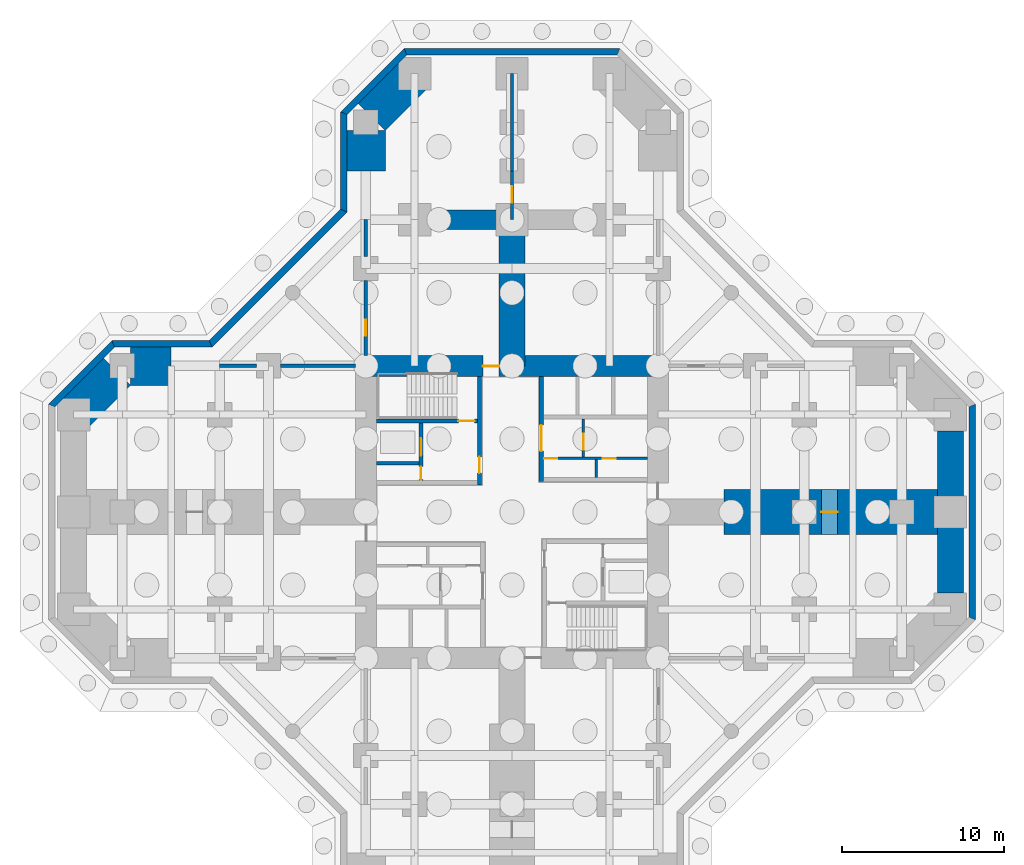
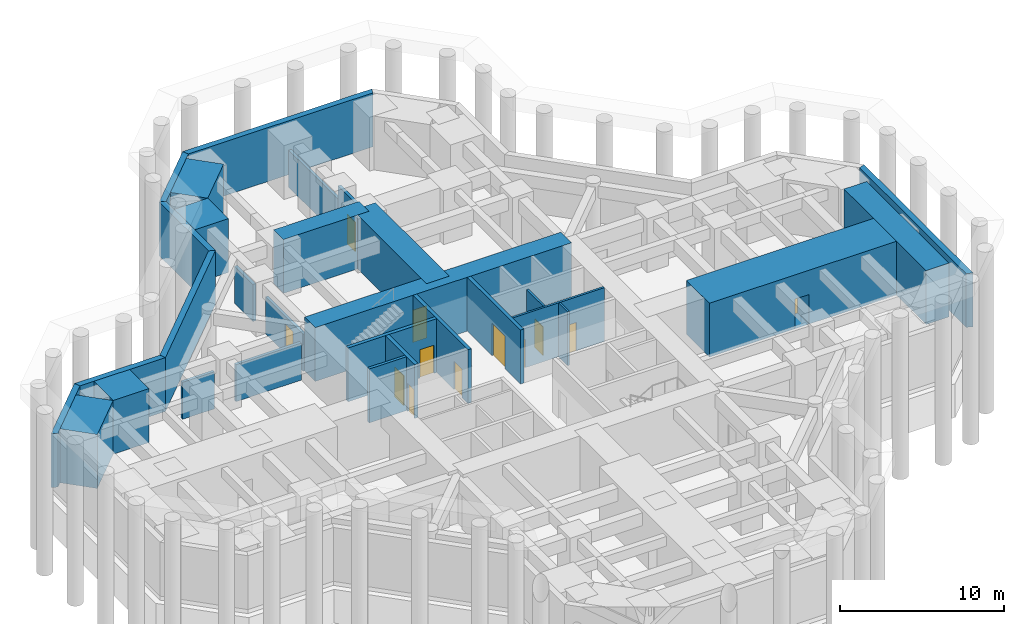
# One storey, part 5 of 8: 30 walls, 12 doors, 12 openings.
"""IFC4 building model written with IfcOpenShell, lengths in metres."""

from ifc_helpers import new_model, si_unit, direction, frame, frame_2d, origin, place, context, subcontext, project, spatial, polyline, rectangle, outline, extrude, material, layer, layer_set, constituent, constituent_set, type_object, element, fill, save


model = new_model("IFC4")

# Units and contexts
model_context = context("Model", 3, precision=1e-05, world=origin(), true_north=direction((0.0, 1.0)))
body_context = subcontext(model_context, "Body", "Model", "MODEL_VIEW")
ifc_project = project(units=[si_unit("LENGTHUNIT", "METRE"), si_unit("AREAUNIT", "SQUARE_METRE"), si_unit("VOLUMEUNIT", "CUBIC_METRE"), si_unit("PLANEANGLEUNIT", "RADIAN"), si_unit("MASSUNIT", "GRAM", prefix="KILO")], contexts=[model_context])

# Site, building, storey
site_placement = place(None, origin())
site = spatial("IfcSite", under=ifc_project, at=site_placement, CompositionType="ELEMENT")
building_placement = place(site_placement, origin())
building = spatial("IfcBuilding", under=site, at=building_placement, Name="Torre Cruceta", CompositionType="ELEMENT")
storey_placement = place(building_placement, frame((0.0, 0.0, -8.0)))
storey = spatial("IfcBuildingStorey", under=building, at=storey_placement, Name="B02", CompositionType="ELEMENT", Elevation=-8.0)

# Walls
ifc_material_1 = material(Name="Concrete G60 (fck 60 MPa)", Category="concrete")
ifc_layer_1 = layer(ifc_material_1, 2.39990234375)
ifc_layer_set_1 = layer_set([ifc_layer_1], Name="Concrete G60 (fck 60 MPa)")
wall_type_1 = type_object("IfcWallType", Name="BASEMENT ARM WALL 2400 G60", PredefinedType="SHEAR", material=ifc_layer_set_1)
wall_1_placement = place(storey_placement, frame((-9.0, 21.0, 0.0), z_axis=(0.0, 0.0, 1.0), x_axis=(0.0, 1.0, 0.0)))
element("IfcWall", 1, at=wall_1_placement, inside=storey, type_object=wall_type_1, Name="BW1 basement arm wall B02 N L1", PredefinedType="SHEAR", context=body_context, shape_type="SweptSolid", body=[
    extrude(rectangle(XDim=2.5029296875, YDim=2.39990234375, at=frame_2d((1.25146484375, 0.0))), origin(), (0.0, 0.0, 1.0), 4.0),
])
wall_2_placement = place(storey_placement, frame((-8.6484375, 24.3515625, 0.0), z_axis=(0.0, 0.0, 1.0), x_axis=(0.707106781187, 0.707106781187, 0.0)))
element("IfcWall", 2, at=wall_2_placement, inside=storey, type_object=wall_type_1, Name="BW1 basement arm wall B02 N L2", PredefinedType="SHEAR", context=body_context, shape_type="SweptSolid", body=[
    extrude(rectangle(XDim=3.745361328125, YDim=2.39990234375, at=frame_2d((1.87255859375, 0.0))), origin(), (0.0, 0.0, 1.0), 4.0),
])
wall_3_placement = place(storey_placement, frame((-21.0, 9.0, 0.0), z_axis=(0.0, 0.0, 1.0), x_axis=(-1.0, 0.0, 0.0)))
element("IfcWall", 3, at=wall_3_placement, inside=storey, type_object=wall_type_1, Name="BW1 basement arm wall B02 W R1", PredefinedType="SHEAR", context=body_context, shape_type="SweptSolid", body=[
    extrude(rectangle(XDim=2.5029296875, YDim=2.39990234375, at=frame_2d((1.25146484375, 0.0))), origin(), (0.0, 0.0, 1.0), 4.0),
])
wall_4_placement = place(storey_placement, frame((-24.3515625, 8.6484375, 0.0), z_axis=(0.0, 0.0, 1.0), x_axis=(-0.707106781187, -0.707106781187, 0.0)))
element("IfcWall", 4, at=wall_4_placement, inside=storey, type_object=wall_type_1, Name="BW1 basement arm wall B02 W R2", PredefinedType="SHEAR", context=body_context, shape_type="SweptSolid", body=[
    extrude(rectangle(XDim=3.745361328125, YDim=2.39990234375, at=frame_2d((1.87255859375, 0.0))), origin(), (0.0, 0.0, 1.0), 4.0),
])
ifc_material_2 = material(Name="Concrete G45 (fck 45 MPa)", Category="concrete")
ifc_layer_2 = layer(ifc_material_2, 0.39990234375)
ifc_layer_set_2 = layer_set([ifc_layer_2], Name="Concrete G45 (fck 45 MPa)")
wall_type_2 = type_object("IfcWallType", Name="BASEMENT RETAINING WALL 400", PredefinedType="SOLIDWALL", material=ifc_layer_set_2)
wall_5_placement = place(storey_placement, origin())
element("IfcWall", 5, at=wall_5_placement, inside=storey, type_object=wall_type_2, Name="Retaining wall RW1 B02-11", PredefinedType="SOLIDWALL", context=body_context, shape_type="SweptSolid", body=[
    extrude(outline(polyline([(-28.14990234375, 6.476318359375), (-28.550048828125, 6.64208984375), (-24.64208984375, 10.550048828125), (-24.476318359375, 10.14990234375), (-28.14990234375, 6.476318359375)])), origin(), (0.0, 0.0, 1.0), 4.0),
])
wall_6_placement = place(storey_placement, origin())
element("IfcWall", 6, at=wall_6_placement, inside=storey, type_object=wall_type_2, Name="Retaining wall RW1 B02-12", PredefinedType="SOLIDWALL", context=body_context, shape_type="SweptSolid", body=[
    extrude(outline(polyline([(-24.476318359375, 10.14990234375), (-24.64208984375, 10.550048828125), (-18.64208984375, 10.550048828125), (-18.476318359375, 10.14990234375), (-24.476318359375, 10.14990234375)])), origin(), (0.0, 0.0, 1.0), 4.0),
])
wall_7_placement = place(storey_placement, origin())
element("IfcWall", 7, at=wall_7_placement, inside=storey, type_object=wall_type_2, Name="Retaining wall RW1 B02-13", PredefinedType="SOLIDWALL", context=body_context, shape_type="SweptSolid", body=[
    extrude(outline(polyline([(-18.476318359375, 10.14990234375), (-18.64208984375, 10.550048828125), (-10.550048828125, 18.64208984375), (-10.14990234375, 18.476318359375), (-18.476318359375, 10.14990234375)])), origin(), (0.0, 0.0, 1.0), 4.0),
])
wall_8_placement = place(storey_placement, origin())
element("IfcWall", 8, at=wall_8_placement, inside=storey, type_object=wall_type_2, Name="Retaining wall RW1 B02-14", PredefinedType="SOLIDWALL", context=body_context, shape_type="SweptSolid", body=[
    extrude(outline(polyline([(-10.14990234375, 18.476318359375), (-10.550048828125, 18.64208984375), (-10.550048828125, 24.64208984375), (-10.14990234375, 24.476318359375), (-10.14990234375, 18.476318359375)])), origin(), (0.0, 0.0, 1.0), 4.0),
])
wall_9_placement = place(storey_placement, origin())
element("IfcWall", 9, at=wall_9_placement, inside=storey, type_object=wall_type_2, Name="Retaining wall RW1 B02-15", PredefinedType="SOLIDWALL", context=body_context, shape_type="SweptSolid", body=[
    extrude(outline(polyline([(-10.14990234375, 24.476318359375), (-10.550048828125, 24.64208984375), (-6.64208984375, 28.550048828125), (-6.476318359375, 28.14990234375), (-10.14990234375, 24.476318359375)])), origin(), (0.0, 0.0, 1.0), 4.0),
])
wall_10_placement = place(storey_placement, origin())
element("IfcWall", 10, at=wall_10_placement, inside=storey, type_object=wall_type_2, Name="Retaining wall RW1 B02-16", PredefinedType="SOLIDWALL", context=body_context, shape_type="SweptSolid", body=[
    extrude(outline(polyline([(-6.476318359375, 28.14990234375), (-6.64208984375, 28.550048828125), (6.64208984375, 28.550048828125), (6.476318359375, 28.14990234375), (-6.476318359375, 28.14990234375)])), origin(), (0.0, 0.0, 1.0), 4.0),
])
wall_11_placement = place(storey_placement, origin())
element("IfcWall", 11, at=wall_11_placement, inside=storey, type_object=wall_type_2, Name="Retaining wall RW1 B02-22", PredefinedType="SOLIDWALL", context=body_context, shape_type="SweptSolid", body=[
    extrude(outline(polyline([(28.14990234375, 6.476318359375), (28.550048828125, 6.64208984375), (28.550048828125, -6.64208984375), (28.14990234375, -6.476318359375), (28.14990234375, 6.476318359375)])), origin(), (0.0, 0.0, 1.0), 4.0),
])

# Wall, opening, door
ifc_material_3 = material(Name="Concrete G60 (fck 60 MPa)", Category="concrete")
ifc_layer_3 = layer(ifc_material_3, 0.25)
ifc_layer_set_3 = layer_set([ifc_layer_3], Name="Concrete G60 (fck 60 MPa)")
wall_type_3 = type_object("IfcWallType", Name="CORE INNER WALL 250 G60", PredefinedType="SHEAR", material=ifc_layer_set_3)
wall_12_placement = place(storey_placement, frame((1.800048828125, 1.875, 0.0), z_axis=(0.0, 0.0, 1.0), x_axis=(0.0, 1.0, 0.0)))
wall_12 = element("IfcWall", 12, at=wall_12_placement, inside=storey, type_object=wall_type_3, Name="CW4 B02 NE-CU", PredefinedType="SHEAR", context=body_context, shape_type="SweptSolid", body=[
    extrude(rectangle(XDim=6.47509765625, YDim=0.25, at=frame_2d((3.237548828125, 0.0))), origin(), (0.0, 0.0, 1.0), 4.0),
])
opening_1_placement = place(wall_12_placement, frame((1.875, 0.0, 0.0)))
opening_1 = element("IfcOpeningElement", 13, at=opening_1_placement, cuts=wall_12, Name="Opening D15", PredefinedType="OPENING", context=body_context, shape_type="SweptSolid", body=[
    extrude(rectangle(XDim=1.60009765625, YDim=2.39990234375, at=frame_2d((0.800048828125, 1.199951171875))), frame((0.0, 0.135009765625, 0.0), z_axis=(0.0, -1.0, 0.0), x_axis=(1.0, 0.0, 0.0)), (0.0, 0.0, 1.0), 0.27001953125),
])
ifc_material_4 = material(Name="Steel DX51D", Category="steel")
ifc_constituent_1 = constituent(ifc_material_4, Name="Leaf and frame")
ifc_material_5 = material(Name="Polyester powder coating", Category="paint")
ifc_constituent_2 = constituent(ifc_material_5, Name="Finish")
ifc_constituent_set_1 = constituent_set(constituents=[ifc_constituent_1, ifc_constituent_2], Name="Steel fire door")
door_type_1 = type_object("IfcDoorType", Name="CORE ROOM DOUBLE DOOR 1600X2400", OperationType="DOUBLE_DOOR_SINGLE_SWING", PredefinedType="DOOR", material=ifc_constituent_set_1)
door_1_placement = place(opening_1_placement, frame((1.60009765625, 0.0, 0.0), z_axis=(0.0, 0.0, 1.0), x_axis=(-1.0, 0.0, 0.0)))
door_1 = element("IfcDoor", 14, at=door_1_placement, inside=storey, type_object=door_type_1, Name="D15 B02 NE-LOBBY", OperationType="DOUBLE_DOOR_SINGLE_SWING", OverallHeight=2.39990234375, OverallWidth=1.60009765625, PredefinedType="DOOR", context=body_context, shape_type="SweptSolid", body=[
    extrude(rectangle(XDim=1.60009765625, YDim=2.39990234375, at=frame_2d((0.800048828125, 1.199951171875))), frame((0.0, 0.025146484375, 0.0), z_axis=(0.0, -1.0, 0.0), x_axis=(1.0, 0.0, 0.0)), (0.0, 0.0, 1.0), 0.050048828125),
])
fill(opening_1, door_1)

wall_13_placement = place(storey_placement, frame((-2.0, 1.675048828125, 0.0), z_axis=(0.0, 0.0, 1.0), x_axis=(0.0, 1.0, 0.0)))
wall_13 = element("IfcWall", 15, at=wall_13_placement, inside=storey, type_object=wall_type_3, Name="CW4 B02 NW-CU", PredefinedType="SHEAR", context=body_context, shape_type="SweptSolid", body=[
    extrude(rectangle(XDim=6.675048828125, YDim=0.25, at=frame_2d((3.33740234375, 0.0))), origin(), (0.0, 0.0, 1.0), 4.0),
])
opening_2_placement = place(wall_13_placement, frame((0.72509765625, 0.0, 0.0)))
opening_2 = element("IfcOpeningElement", 16, at=opening_2_placement, cuts=wall_13, Name="Opening D3", PredefinedType="OPENING", context=body_context, shape_type="SweptSolid", body=[
    extrude(rectangle(XDim=1.0, YDim=2.10009765625, at=frame_2d((0.5, 1.050048828125))), frame((0.0, 0.135009765625, 0.0), z_axis=(0.0, -1.0, 0.0), x_axis=(1.0, 0.0, 0.0)), (0.0, 0.0, 1.0), 0.27001953125),
])
ifc_material_6 = material(Name="Steel DX51D", Category="steel")
ifc_constituent_3 = constituent(ifc_material_6, Name="Leaf and frame")
ifc_material_7 = material(Name="Polyester powder coating", Category="paint")
ifc_constituent_4 = constituent(ifc_material_7, Name="Finish")
ifc_constituent_set_2 = constituent_set(constituents=[ifc_constituent_3, ifc_constituent_4], Name="Steel fire door")
door_type_2 = type_object("IfcDoorType", Name="FIRE DOOR 1000X2100", OperationType="SINGLE_SWING_LEFT", PredefinedType="DOOR", material=ifc_constituent_set_2)
door_2_placement = place(opening_2_placement, origin())
door_2 = element("IfcDoor", 17, at=door_2_placement, inside=storey, type_object=door_type_2, Name="D3 B02 NW-LOBBY", OperationType="SINGLE_SWING_LEFT", OverallHeight=2.10009765625, OverallWidth=1.0, PredefinedType="DOOR", context=body_context, shape_type="SweptSolid", body=[
    extrude(rectangle(XDim=1.0, YDim=2.10009765625, at=frame_2d((0.5, 1.050048828125))), frame((0.0, 0.02490234375, 0.0), z_axis=(0.0, -1.0, 0.0), x_axis=(1.0, 0.0, 0.0)), (0.0, 0.0, 1.0), 0.050048828125),
])
fill(opening_2, door_2)

wall_14_placement = place(storey_placement, frame((-2.125, 5.60009765625, 0.0), z_axis=(0.0, 0.0, 1.0), x_axis=(-1.0, 0.0, 0.0)))
wall_14 = element("IfcWall", 18, at=wall_14_placement, inside=storey, type_object=wall_type_3, Name="CW4 B02 NW-SV", PredefinedType="SHEAR", context=body_context, shape_type="SweptSolid", body=[
    extrude(rectangle(XDim=6.22509765625, YDim=0.25, at=frame_2d((3.112548828125, 0.0))), origin(), (0.0, 0.0, 1.0), 4.0),
])
opening_3_placement = place(wall_14_placement, frame((0.175048828125, 0.0, 0.0)))
opening_3 = element("IfcOpeningElement", 19, at=opening_3_placement, cuts=wall_14, Name="Opening D3", PredefinedType="OPENING", context=body_context, shape_type="SweptSolid", body=[
    extrude(rectangle(XDim=1.0, YDim=2.10009765625, at=frame_2d((0.5, 1.050048828125))), frame((0.0, 0.135009765625, 0.0), z_axis=(0.0, -1.0, 0.0), x_axis=(1.0, 0.0, 0.0)), (0.0, 0.0, 1.0), 0.27001953125),
])
door_3_placement = place(opening_3_placement, frame((1.0, 0.0, 0.0), z_axis=(0.0, 0.0, 1.0), x_axis=(-1.0, 0.0, 0.0)))
door_3 = element("IfcDoor", 20, at=door_3_placement, inside=storey, type_object=door_type_2, Name="D3 B02 NW-STAIR", OperationType="SINGLE_SWING_RIGHT", OverallHeight=2.10009765625, OverallWidth=1.0, PredefinedType="DOOR", context=body_context, shape_type="SweptSolid", body=[
    extrude(rectangle(XDim=1.0, YDim=2.10009765625, at=frame_2d((0.5, 1.050048828125))), frame((0.0, 0.025146484375, 0.0), z_axis=(0.0, -1.0, 0.0), x_axis=(1.0, 0.0, 0.0)), (0.0, 0.0, 1.0), 0.050048828125),
])
fill(opening_3, door_3)

# Wall, openings, doors
wall_15_placement = place(storey_placement, frame((-5.60009765625, 1.925048828125, 0.0), z_axis=(0.0, 0.0, 1.0), x_axis=(0.0, 1.0, 0.0)))
wall_15 = element("IfcWall", 21, at=wall_15_placement, inside=storey, type_object=wall_type_3, Name="CW4 B02 NW-FU", PredefinedType="SHEAR", context=body_context, shape_type="SweptSolid", body=[
    extrude(rectangle(XDim=3.550048828125, YDim=0.25, at=frame_2d((1.77490234375, 0.0))), origin(), (0.0, 0.0, 1.0), 4.0),
])
opening_4_placement = place(wall_15_placement, frame((1.52490234375, 0.0, 0.0)))
opening_4 = element("IfcOpeningElement", 22, at=opening_4_placement, cuts=wall_15, Name="Opening LD1", PredefinedType="OPENING", context=body_context, shape_type="SweptSolid", body=[
    extrude(rectangle(XDim=1.10009765625, YDim=2.199951171875, at=frame_2d((0.550048828125, 1.10009765625))), frame((0.0, 0.135009765625, 0.0), z_axis=(0.0, -1.0, 0.0), x_axis=(1.0, 0.0, 0.0)), (0.0, 0.0, 1.0), 0.27001953125),
])
opening_5_placement = place(wall_15_placement, frame((0.074951171875, 0.0, 0.0)))
opening_5 = element("IfcOpeningElement", 23, at=opening_5_placement, cuts=wall_15, Name="Opening D5", PredefinedType="OPENING", context=body_context, shape_type="SweptSolid", body=[
    extrude(rectangle(XDim=0.800048828125, YDim=2.10009765625, at=frame_2d((0.39990234375, 1.050048828125))), frame((0.0, 0.135009765625, 0.0), z_axis=(0.0, -1.0, 0.0), x_axis=(1.0, 0.0, 0.0)), (0.0, 0.0, 1.0), 0.27001953125),
])
ifc_material_8 = material(Name="Stainless steel 1.4401", Category="steel")
door_type_3 = type_object("IfcDoorType", Name="LIFT LANDING DOOR 1100X2200", OperationType="DOUBLE_DOOR_SLIDING", PredefinedType="DOOR", material=ifc_material_8)
door_4_placement = place(opening_4_placement, origin())
door_4 = element("IfcDoor", 24, at=door_4_placement, inside=storey, type_object=door_type_3, Name="Lift landing door FL1", OperationType="DOUBLE_DOOR_SLIDING", OverallHeight=2.199951171875, OverallWidth=1.10009765625, PredefinedType="DOOR", context=body_context, shape_type="SweptSolid", body=[
    extrude(rectangle(XDim=1.10009765625, YDim=2.199951171875, at=frame_2d((0.550048828125, 1.10009765625))), frame((0.0, 0.02490234375, 0.0), z_axis=(0.0, -1.0, 0.0), x_axis=(1.0, 0.0, 0.0)), (0.0, 0.0, 1.0), 0.050048828125),
])
fill(opening_4, door_4)
ifc_material_9 = material(Name="Steel DX51D", Category="steel")
ifc_constituent_5 = constituent(ifc_material_9, Name="Leaf and frame")
ifc_material_10 = material(Name="Polyester powder coating", Category="paint")
ifc_constituent_6 = constituent(ifc_material_10, Name="Finish")
ifc_constituent_set_3 = constituent_set(constituents=[ifc_constituent_5, ifc_constituent_6], Name="Steel fire door")
door_type_4 = type_object("IfcDoorType", Name="RISER ACCESS DOOR 800X2100", OperationType="SINGLE_SWING_LEFT", PredefinedType="DOOR", material=ifc_constituent_set_3)
door_5_placement = place(opening_5_placement, origin())
door_5 = element("IfcDoor", 25, at=door_5_placement, inside=storey, type_object=door_type_4, Name="D5 B02 NW-RISER", OperationType="SINGLE_SWING_LEFT", OverallHeight=2.10009765625, OverallWidth=0.800048828125, PredefinedType="DOOR", context=body_context, shape_type="SweptSolid", body=[
    extrude(rectangle(XDim=0.800048828125, YDim=2.10009765625, at=frame_2d((0.39990234375, 1.050048828125))), frame((0.0, 0.02490234375, 0.0), z_axis=(0.0, -1.0, 0.0), x_axis=(1.0, 0.0, 0.0)), (0.0, 0.0, 1.0), 0.050048828125),
])
fill(opening_5, door_5)

# Wall, opening, door
ifc_material_11 = material(Name="Concrete G60 (fck 60 MPa)", Category="concrete")
ifc_layer_4 = layer(ifc_material_11, 1.300048828125)
ifc_layer_set_4 = layer_set([ifc_layer_4], Name="Concrete G60 (fck 60 MPa)")
wall_type_4 = type_object("IfcWallType", Name="CORE WALL 1300 G60", PredefinedType="SHEAR", material=ifc_layer_set_4)
wall_16_placement = place(storey_placement, frame((9.0, 9.0, 0.0), z_axis=(0.0, 0.0, 1.0), x_axis=(-1.0, 0.0, 0.0)))
wall_16 = element("IfcWall", 26, at=wall_16_placement, inside=storey, type_object=wall_type_4, Name="CW1 B02 CW-N", PredefinedType="SHEAR", context=body_context, shape_type="SweptSolid", body=[
    extrude(rectangle(XDim=18.0, YDim=1.300048828125, at=frame_2d((9.0, 0.0))), origin(), (0.0, 0.0, 1.0), 4.0),
])
opening_6_placement = place(wall_16_placement, frame((9.800048828125, 0.0, 0.0)))
opening_6 = element("IfcOpeningElement", 27, at=opening_6_placement, cuts=wall_16, Name="Opening D4", PredefinedType="OPENING", context=body_context, shape_type="SweptSolid", body=[
    extrude(rectangle(XDim=1.0, YDim=2.39990234375, at=frame_2d((0.5, 1.199951171875))), frame((0.0, 0.659912109375, 0.0), z_axis=(0.0, -1.0, 0.0), x_axis=(1.0, 0.0, 0.0)), (0.0, 0.0, 1.0), 1.320068359375),
])
ifc_material_12 = material(Name="Steel DX51D", Category="steel")
ifc_constituent_7 = constituent(ifc_material_12, Name="Leaf and frame")
ifc_material_13 = material(Name="Polyester powder coating", Category="paint")
ifc_constituent_8 = constituent(ifc_material_13, Name="Finish")
ifc_constituent_set_4 = constituent_set(constituents=[ifc_constituent_7, ifc_constituent_8], Name="Steel fire door")
door_type_5 = type_object("IfcDoorType", Name="CORE ARM DOOR 1000X2400", OperationType="SINGLE_SWING_RIGHT", PredefinedType="DOOR", material=ifc_constituent_set_4)
door_6_placement = place(opening_6_placement, frame((1.0, 0.0, 0.0), z_axis=(0.0, 0.0, 1.0), x_axis=(-1.0, 0.0, 0.0)))
door_6 = element("IfcDoor", 28, at=door_6_placement, inside=storey, type_object=door_type_5, Name="D4 B02 CW-N", OperationType="SINGLE_SWING_RIGHT", OverallHeight=2.39990234375, OverallWidth=1.0, PredefinedType="DOOR", context=body_context, shape_type="SweptSolid", body=[
    extrude(rectangle(XDim=1.0, YDim=2.39990234375, at=frame_2d((0.5, 1.199951171875))), frame((0.0, -0.005126953125, 0.0), z_axis=(0.0, -1.0, 0.0), x_axis=(1.0, 0.0, 0.0)), (0.0, 0.0, 1.0), 0.050048828125),
])
fill(opening_6, door_6)

ifc_material_14 = material(Name="Concrete G25 (fck 25 MPa)", Category="concrete")
ifc_layer_5 = layer(ifc_material_14, 0.199951171875)
ifc_layer_set_5 = layer_set([ifc_layer_5], Name="Concrete G25 (fck 25 MPa)")
wall_type_5 = type_object("IfcWallType", Name="CORRIDOR WALL 200", PredefinedType="SOLIDWALL", material=ifc_layer_set_5)
wall_17_placement = place(storey_placement, frame((0.0, 18.0, 0.0), z_axis=(0.0, 0.0, 1.0), x_axis=(0.0, 1.0, 0.0)))
wall_17 = element("IfcWall", 29, at=wall_17_placement, inside=storey, type_object=wall_type_5, Name="PT3 spine line B02 N", PredefinedType="SOLIDWALL", context=body_context, shape_type="SweptSolid", body=[
    extrude(rectangle(XDim=3.0, YDim=0.199951171875, at=frame_2d((1.5, 0.0))), origin(), (0.0, 0.0, 1.0), 3.75),
])
opening_7_placement = place(wall_17_placement, frame((1.050048828125, 0.0, 0.0)))
opening_7 = element("IfcOpeningElement", 30, at=opening_7_placement, cuts=wall_17, Name="Opening D14", PredefinedType="OPENING", context=body_context, shape_type="SweptSolid", body=[
    extrude(rectangle(XDim=1.0, YDim=2.199951171875, at=frame_2d((0.5, 1.10009765625))), frame((0.0, 0.10986328125, 0.0), z_axis=(0.0, -1.0, 0.0), x_axis=(1.0, 0.0, 0.0)), (0.0, 0.0, 1.0), 0.219970703125),
])
ifc_material_15 = material(Name="Steel DX51D", Category="steel")
ifc_constituent_9 = constituent(ifc_material_15, Name="Leaf and frame")
ifc_material_16 = material(Name="Polyester powder coating", Category="paint")
ifc_constituent_10 = constituent(ifc_material_16, Name="Finish")
ifc_material_17 = material(Name="Fire-resisting glass", Category="glass")
ifc_constituent_11 = constituent(ifc_material_17, Name="Vision panel")
ifc_constituent_set_5 = constituent_set(constituents=[ifc_constituent_9, ifc_constituent_10, ifc_constituent_11], Name="Steel fire door with vision panel")
door_type_6 = type_object("IfcDoorType", Name="FIRE DOOR VISION PANEL 1000X2200", OperationType="SINGLE_SWING_RIGHT", PredefinedType="DOOR", material=ifc_constituent_set_5)
door_7_placement = place(opening_7_placement, frame((1.0, 0.0, 0.0), z_axis=(0.0, 0.0, 1.0), x_axis=(-1.0, 0.0, 0.0)))
door_7 = element("IfcDoor", 31, at=door_7_placement, inside=storey, type_object=door_type_6, Name="D14 B02-N-SP1", OperationType="SINGLE_SWING_RIGHT", OverallHeight=2.199951171875, OverallWidth=1.0, PredefinedType="DOOR", context=body_context, shape_type="SweptSolid", body=[
    extrude(rectangle(XDim=1.0, YDim=2.199951171875, at=frame_2d((0.5, 1.10009765625))), frame((0.0, 0.025146484375, 0.0), z_axis=(0.0, -1.0, 0.0), x_axis=(1.0, 0.0, 0.0)), (0.0, 0.0, 1.0), 0.050048828125),
])
fill(opening_7, door_7)

# Walls
wall_18_placement = place(storey_placement, frame((0.0, 21.0, 0.0), z_axis=(0.0, 0.0, 1.0), x_axis=(0.0, 1.0, 0.0)))
element("IfcWall", 32, at=wall_18_placement, inside=storey, type_object=wall_type_5, Name="PT3 spine line B02 N 2", PredefinedType="SOLIDWALL", context=body_context, shape_type="SweptSolid", body=[
    extrude(rectangle(XDim=6.0, YDim=0.199951171875, at=frame_2d((3.0, 0.0))), origin(), (0.0, 0.0, 1.0), 2.75),
])
ifc_material_18 = material(Name="Concrete G60 (fck 60 MPa)", Category="concrete")
ifc_layer_6 = layer(ifc_material_18, 1.199951171875)
ifc_layer_set_6 = layer_set([ifc_layer_6], Name="Concrete G60 (fck 60 MPa)")
wall_type_6 = type_object("IfcWallType", Name="CROSS WALL 1200 G60", PredefinedType="SHEAR", material=ifc_layer_set_6)
wall_19_placement = place(storey_placement, frame((0.0, 18.0, 0.0), z_axis=(0.0, 0.0, 1.0), x_axis=(-1.0, 0.0, 0.0)))
element("IfcWall", 33, at=wall_19_placement, inside=storey, type_object=wall_type_6, Name="XW1 cross wall B02 N L", PredefinedType="SHEAR", context=body_context, shape_type="SweptSolid", body=[
    extrude(rectangle(XDim=6.0, YDim=1.199951171875, at=frame_2d((3.0, 0.0))), origin(), (0.0, 0.0, 1.0), 4.0),
])
ifc_material_19 = material(Name="Concrete G35 (fck 35 MPa)", Category="concrete")
ifc_layer_7 = layer(ifc_material_19, 0.199951171875)
ifc_layer_set_7 = layer_set([ifc_layer_7], Name="Concrete G35 (fck 35 MPa)")
wall_type_7 = type_object("IfcWallType", Name="LIFT SHAFT WALL 200", PredefinedType="PARTITIONING", material=ifc_layer_set_7)
wall_20_placement = place(storey_placement, frame((-5.72509765625, 3.0, 0.0), z_axis=(0.0, 0.0, 1.0), x_axis=(-1.0, 0.0, 0.0)))
element("IfcWall", 34, at=wall_20_placement, inside=storey, type_object=wall_type_7, Name="SW1 B02 NW-FR", PredefinedType="PARTITIONING", context=body_context, shape_type="SweptSolid", body=[
    extrude(rectangle(XDim=2.625, YDim=0.199951171875, at=frame_2d((1.3125, 0.0))), origin(), (0.0, 0.0, 1.0), 4.0),
])
ifc_material_20 = material(Name="Concrete G60 (fck 60 MPa)", Category="concrete")
ifc_layer_8 = layer(ifc_material_20, 1.60009765625)
ifc_layer_set_8 = layer_set([ifc_layer_8], Name="Concrete G60 (fck 60 MPa)")
wall_type_8 = type_object("IfcWallType", Name="NOSE WALL 1600 G60", PredefinedType="SHEAR", material=ifc_layer_set_8)
wall_21_placement = place(storey_placement, frame((27.0, -5.0, 0.0), z_axis=(0.0, 0.0, 1.0), x_axis=(0.0, 1.0, 0.0)))
element("IfcWall", 35, at=wall_21_placement, inside=storey, type_object=wall_type_8, Name="NW0 nose wall B02 E", PredefinedType="SHEAR", context=body_context, shape_type="SweptSolid", body=[
    extrude(rectangle(XDim=10.0, YDim=1.60009765625, at=frame_2d((5.0, 0.0))), origin(), (0.0, 0.0, 1.0), 4.0),
])

# Wall, opening, door
ifc_material_21 = material(Name="Plasterboard on steel studs", Category="steel")
ifc_layer_9 = layer(ifc_material_21, 0.14990234375)
ifc_layer_set_9 = layer_set([ifc_layer_9], Name="Plasterboard on steel studs")
wall_type_9 = type_object("IfcWallType", Name="PARTITION 150", PredefinedType="PARTITIONING", material=ifc_layer_set_9)
wall_22_placement = place(storey_placement, frame((4.39990234375, 3.375, 0.0), z_axis=(0.0, 0.0, 1.0), x_axis=(0.0, 1.0, 0.0)))
wall_22 = element("IfcWall", 36, at=wall_22_placement, inside=storey, type_object=wall_type_9, Name="PT1 B02-CORE-NE-X", PredefinedType="PARTITIONING", context=body_context, shape_type="SweptSolid", body=[
    extrude(rectangle(XDim=2.35009765625, YDim=0.14990234375, at=frame_2d((1.175048828125, 0.0))), origin(), (0.0, 0.0, 1.0), 3.75),
])
opening_8_placement = place(wall_22_placement, frame((0.449951171875, 0.0, 0.0)))
opening_8 = element("IfcOpeningElement", 37, at=opening_8_placement, cuts=wall_22, Name="Opening D3", PredefinedType="OPENING", context=body_context, shape_type="SweptSolid", body=[
    extrude(rectangle(XDim=1.0, YDim=2.10009765625, at=frame_2d((0.5, 1.050048828125))), frame((0.0, 0.0849609375, 0.0), z_axis=(0.0, -1.0, 0.0), x_axis=(1.0, 0.0, 0.0)), (0.0, 0.0, 1.0), 0.169921875),
])
door_8_placement = place(opening_8_placement, origin())
door_8 = element("IfcDoor", 38, at=door_8_placement, inside=storey, type_object=door_type_2, Name="D3 B02-CORE-NE-X-D1", OperationType="SINGLE_SWING_LEFT", OverallHeight=2.10009765625, OverallWidth=1.0, PredefinedType="DOOR", context=body_context, shape_type="SweptSolid", body=[
    extrude(rectangle(XDim=1.0, YDim=2.10009765625, at=frame_2d((0.5, 1.050048828125))), frame((0.0, 0.02490234375, 0.0), z_axis=(0.0, -1.0, 0.0), x_axis=(1.0, 0.0, 0.0)), (0.0, 0.0, 1.0), 0.050048828125),
])
fill(opening_8, door_8)

# Wall, openings, doors
ifc_material_22 = material(Name="Concrete block masonry", Category="masonry")
ifc_layer_10 = layer(ifc_material_22, 0.14990234375)
ifc_layer_set_10 = layer_set([ifc_layer_10], Name="Concrete block masonry")
wall_type_10 = type_object("IfcWallType", Name="RISER WALL 150", PredefinedType="PARTITIONING", material=ifc_layer_set_10)
wall_23_placement = place(storey_placement, frame((1.925048828125, 3.300048828125, 0.0), z_axis=(0.0, 0.0, 1.0), x_axis=(1.0, 0.0, 0.0)))
wall_23 = element("IfcWall", 39, at=wall_23_placement, inside=storey, type_object=wall_type_10, Name="SW7 B02 NE-RV", PredefinedType="PARTITIONING", context=body_context, shape_type="SweptSolid", body=[
    extrude(rectangle(XDim=6.425048828125, YDim=0.14990234375, at=frame_2d((3.21240234375, 0.0))), origin(), (0.0, 0.0, 1.0), 4.0),
])
opening_9_placement = place(wall_23_placement, frame((0.074951171875, 0.0, 0.0)))
opening_9 = element("IfcOpeningElement", 40, at=opening_9_placement, cuts=wall_23, Name="Opening D5", PredefinedType="OPENING", context=body_context, shape_type="SweptSolid", body=[
    extrude(rectangle(XDim=0.800048828125, YDim=2.10009765625, at=frame_2d((0.39990234375, 1.050048828125))), frame((0.0, 0.0849609375, 0.0), z_axis=(0.0, -1.0, 0.0), x_axis=(1.0, 0.0, 0.0)), (0.0, 0.0, 1.0), 0.169921875),
])
opening_10_placement = place(wall_23_placement, frame((3.675048828125, 0.0, 0.0)))
opening_10 = element("IfcOpeningElement", 41, at=opening_10_placement, cuts=wall_23, Name="Opening D5", PredefinedType="OPENING", context=body_context, shape_type="SweptSolid", body=[
    extrude(rectangle(XDim=0.800048828125, YDim=2.10009765625, at=frame_2d((0.39990234375, 1.050048828125))), frame((0.0, 0.0849609375, 0.0), z_axis=(0.0, -1.0, 0.0), x_axis=(1.0, 0.0, 0.0)), (0.0, 0.0, 1.0), 0.169921875),
])
door_9_placement = place(opening_9_placement, frame((0.800048828125, 0.0, 0.0), z_axis=(0.0, 0.0, 1.0), x_axis=(-1.0, 0.0, 0.0)))
door_9 = element("IfcDoor", 42, at=door_9_placement, inside=storey, type_object=door_type_4, Name="D5 B02 NE-RISER1", OperationType="SINGLE_SWING_RIGHT", OverallHeight=2.10009765625, OverallWidth=0.800048828125, PredefinedType="DOOR", context=body_context, shape_type="SweptSolid", body=[
    extrude(rectangle(XDim=0.800048828125, YDim=2.10009765625, at=frame_2d((0.400146484375, 1.050048828125))), frame((0.0, 0.025146484375, 0.0), z_axis=(0.0, -1.0, 0.0), x_axis=(1.0, 0.0, 0.0)), (0.0, 0.0, 1.0), 0.050048828125),
])
fill(opening_9, door_9)
door_10_placement = place(opening_10_placement, frame((0.800048828125, 0.0, 0.0), z_axis=(0.0, 0.0, 1.0), x_axis=(-1.0, 0.0, 0.0)))
door_10 = element("IfcDoor", 43, at=door_10_placement, inside=storey, type_object=door_type_4, Name="D5 B02 NE-RISER2", OperationType="SINGLE_SWING_RIGHT", OverallHeight=2.10009765625, OverallWidth=0.800048828125, PredefinedType="DOOR", context=body_context, shape_type="SweptSolid", body=[
    extrude(rectangle(XDim=0.800048828125, YDim=2.10009765625, at=frame_2d((0.400146484375, 1.050048828125))), frame((0.0, 0.025146484375, 0.0), z_axis=(0.0, -1.0, 0.0), x_axis=(1.0, 0.0, 0.0)), (0.0, 0.0, 1.0), 0.050048828125),
])
fill(opening_10, door_10)

# Walls
wall_24_placement = place(storey_placement, frame((5.199951171875, 2.125, 0.0), z_axis=(0.0, 0.0, 1.0), x_axis=(0.0, 1.0, 0.0)))
element("IfcWall", 44, at=wall_24_placement, inside=storey, type_object=wall_type_10, Name="SW7 B02 NE-RU", PredefinedType="PARTITIONING", context=body_context, shape_type="SweptSolid", body=[
    extrude(rectangle(XDim=1.10009765625, YDim=0.14990234375, at=frame_2d((0.550048828125, 0.0))), origin(), (0.0, 0.0, 1.0), 4.0),
])
ifc_material_23 = material(Name="Concrete G60 (fck 60 MPa)", Category="concrete")
ifc_layer_11 = layer(ifc_material_23, 1.60009765625)
ifc_layer_set_11 = layer_set([ifc_layer_11], Name="Concrete G60 (fck 60 MPa)")
wall_type_11 = type_object("IfcWallType", Name="SPINE WALL 1600 G60", PredefinedType="SHEAR", material=ifc_layer_set_11)
wall_25_placement = place(storey_placement, frame((0.0, 9.0, 0.0), z_axis=(0.0, 0.0, 1.0), x_axis=(0.0, 1.0, 0.0)))
element("IfcWall", 45, at=wall_25_placement, inside=storey, type_object=wall_type_11, Name="SW2 spine wall B02 N", PredefinedType="SHEAR", context=body_context, shape_type="SweptSolid", body=[
    extrude(rectangle(XDim=9.0, YDim=1.60009765625, at=frame_2d((4.5, 0.0))), origin(), (0.0, 0.0, 1.0), 4.0),
])

# Wall, opening, door
ifc_material_24 = material(Name="Concrete G60 (fck 60 MPa)", Category="concrete")
ifc_layer_12 = layer(ifc_material_24, 2.800048828125)
ifc_layer_set_12 = layer_set([ifc_layer_12], Name="Concrete G60 (fck 60 MPa)")
wall_type_12 = type_object("IfcWallType", Name="SPINE WALL 2800 G60", PredefinedType="SHEAR", material=ifc_layer_set_12)
wall_26_placement = place(storey_placement, frame((13.050048828125, 0.0, 0.0), z_axis=(0.0, 0.0, 1.0), x_axis=(1.0, 0.0, 0.0)))
wall_26 = element("IfcWall", 46, at=wall_26_placement, inside=storey, type_object=wall_type_12, Name="SW8 spine wall B02 E", PredefinedType="SHEAR", context=body_context, shape_type="SweptSolid", body=[
    extrude(rectangle(XDim=13.949951171875, YDim=2.800048828125, at=frame_2d((6.97509765625, 0.0))), origin(), (0.0, 0.0, 1.0), 4.0),
])
opening_11_placement = place(wall_26_placement, frame((6.0, 0.0, 0.0)))
opening_11 = element("IfcOpeningElement", 47, at=opening_11_placement, cuts=wall_26, Name="Opening D14", PredefinedType="OPENING", context=body_context, shape_type="SweptSolid", body=[
    extrude(rectangle(XDim=1.0, YDim=2.199951171875, at=frame_2d((0.5, 1.10009765625))), frame((0.0, 1.409912109375, 0.0), z_axis=(0.0, -1.0, 0.0), x_axis=(1.0, 0.0, 0.0)), (0.0, 0.0, 1.0), 2.820068359375),
])
door_11_placement = place(opening_11_placement, frame((1.0, 0.0, 0.0), z_axis=(0.0, 0.0, 1.0), x_axis=(-1.0, 0.0, 0.0)))
door_11 = element("IfcDoor", 48, at=door_11_placement, inside=storey, type_object=door_type_6, Name="D14 B02-E-SP1", OperationType="SINGLE_SWING_LEFT", OverallHeight=2.199951171875, OverallWidth=1.0, PredefinedType="DOOR", context=body_context, shape_type="SweptSolid", body=[
    extrude(rectangle(XDim=1.0, YDim=2.199951171875, at=frame_2d((0.5, 1.10009765625))), frame((0.0, 0.025146484375, 0.0), z_axis=(0.0, -1.0, 0.0), x_axis=(1.0, 0.0, 0.0)), (0.0, 0.0, 1.0), 0.050048828125),
])
fill(opening_11, door_11)

ifc_material_25 = material(Name="Concrete G25 (fck 25 MPa)", Category="concrete")
ifc_layer_13 = layer(ifc_material_25, 0.199951171875)
ifc_layer_set_13 = layer_set([ifc_layer_13], Name="Concrete G25 (fck 25 MPa)")
wall_type_13 = type_object("IfcWallType", Name="WING SEPARATING WALL 200", PredefinedType="SOLIDWALL", material=ifc_layer_set_13)
wall_27_placement = place(storey_placement, frame((-9.0, 9.64990234375, 0.0), z_axis=(0.0, 0.0, 1.0), x_axis=(0.0, 1.0, 0.0)))
wall_27 = element("IfcWall", 49, at=wall_27_placement, inside=storey, type_object=wall_type_13, Name="PT6 B02-WING-N-A1", PredefinedType="SOLIDWALL", context=body_context, shape_type="SweptSolid", body=[
    extrude(rectangle(XDim=4.60009765625, YDim=0.199951171875, at=frame_2d((2.300048828125, 0.0))), origin(), (0.0, 0.0, 1.0), 2.75),
])
opening_12_placement = place(wall_27_placement, frame((1.199951171875, 0.0, 0.0)))
opening_12 = element("IfcOpeningElement", 50, at=opening_12_placement, cuts=wall_27, Name="Opening D14", PredefinedType="OPENING", context=body_context, shape_type="SweptSolid", body=[
    extrude(rectangle(XDim=1.0, YDim=2.199951171875, at=frame_2d((0.5, 1.10009765625))), frame((0.0, 0.10986328125, 0.0), z_axis=(0.0, -1.0, 0.0), x_axis=(1.0, 0.0, 0.0)), (0.0, 0.0, 1.0), 0.219970703125),
])
door_12_placement = place(opening_12_placement, origin())
door_12 = element("IfcDoor", 51, at=door_12_placement, inside=storey, type_object=door_type_6, Name="D14 B02-WING-N-A1-D1", OperationType="SINGLE_SWING_LEFT", OverallHeight=2.199951171875, OverallWidth=1.0, PredefinedType="DOOR", context=body_context, shape_type="SweptSolid", body=[
    extrude(rectangle(XDim=1.0, YDim=2.199951171875, at=frame_2d((0.5, 1.10009765625))), frame((0.0, 0.02490234375, 0.0), z_axis=(0.0, -1.0, 0.0), x_axis=(1.0, 0.0, 0.0)), (0.0, 0.0, 1.0), 0.050048828125),
])
fill(opening_12, door_12)

# Walls
wall_28_placement = place(storey_placement, frame((-9.0, 15.75, 0.0), z_axis=(0.0, 0.0, 1.0), x_axis=(0.0, 1.0, 0.0)))
element("IfcWall", 52, at=wall_28_placement, inside=storey, type_object=wall_type_13, Name="PT6 B02-WING-N-A2", PredefinedType="SOLIDWALL", context=body_context, shape_type="SweptSolid", body=[
    extrude(rectangle(XDim=2.25, YDim=0.199951171875, at=frame_2d((1.125, 0.0))), origin(), (0.0, 0.0, 1.0), 2.75),
])
wall_29_placement = place(storey_placement, frame((-14.25, 9.0, 0.0), z_axis=(0.0, 0.0, 1.0), x_axis=(1.0, 0.0, 0.0)))
element("IfcWall", 53, at=wall_29_placement, inside=storey, type_object=wall_type_13, Name="PT6 B02-WING-N-B1", PredefinedType="SOLIDWALL", context=body_context, shape_type="SweptSolid", body=[
    extrude(rectangle(XDim=4.60009765625, YDim=0.199951171875, at=frame_2d((2.300048828125, 0.0))), origin(), (0.0, 0.0, 1.0), 2.75),
])
wall_30_placement = place(storey_placement, frame((-18.0, 9.0, 0.0), z_axis=(0.0, 0.0, 1.0), x_axis=(1.0, 0.0, 0.0)))
element("IfcWall", 54, at=wall_30_placement, inside=storey, type_object=wall_type_13, Name="PT6 B02-WING-N-B2", PredefinedType="SOLIDWALL", context=body_context, shape_type="SweptSolid", body=[
    extrude(rectangle(XDim=2.25, YDim=0.199951171875, at=frame_2d((1.125, 0.0))), origin(), (0.0, 0.0, 1.0), 2.75),
])

save(model, "model.ifc")
